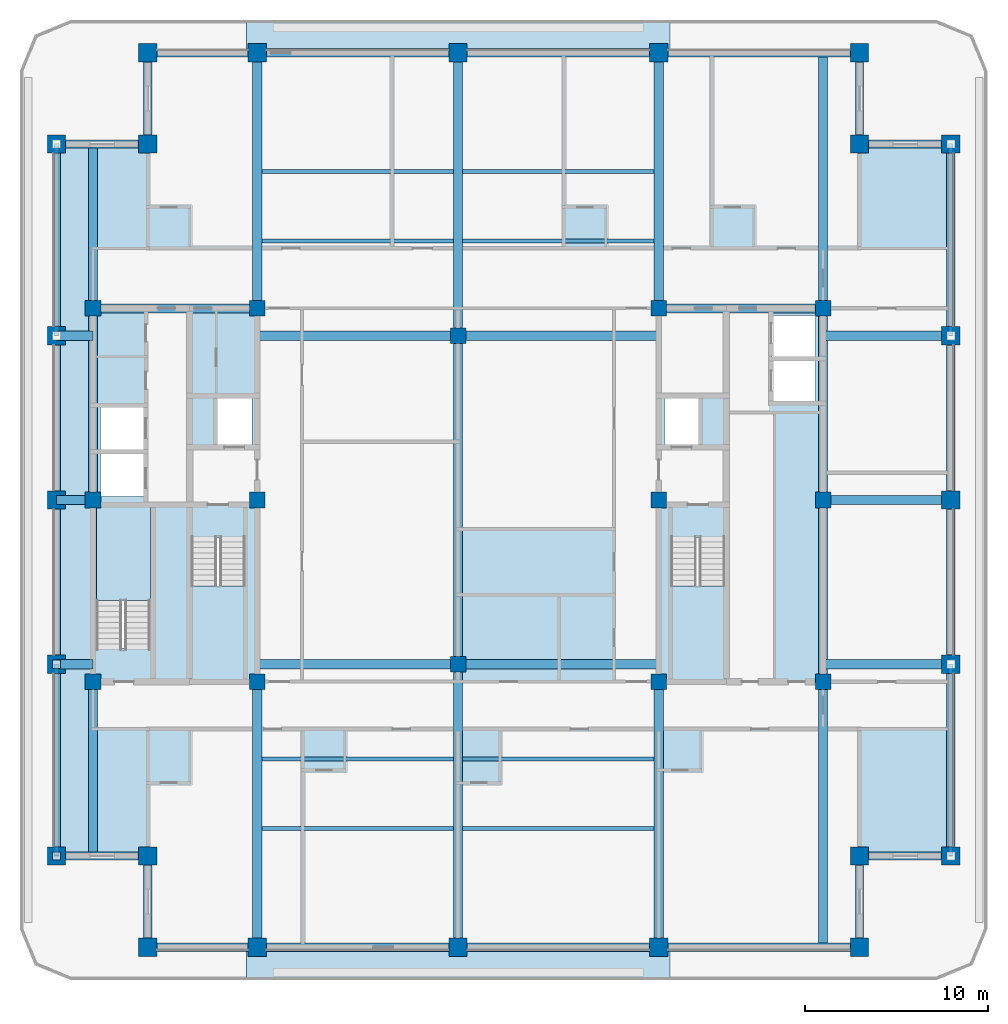
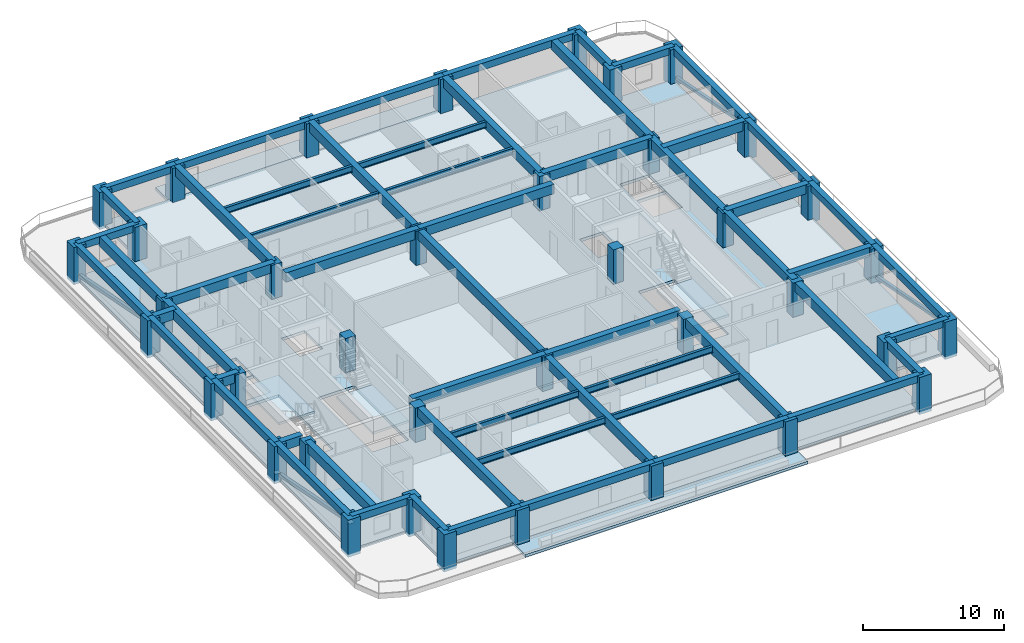
# One storey, part 1 of 13: 58 beams, 38 columns, 6 slabs, 4 members, 2 plates, 3 elements without a shape of their own.
"""IFC4 building model written with IfcOpenShell, lengths in metres."""

from ifc_helpers import new_model, si_unit, direction, frame, origin, origin_2d, place, context, subcontext, project, spatial, polyline, rectangle, hollow_rectangle, i_section, outline, extrude, material, layer, layer_set, material_profile, profile_set, type_object, element, aggregate, save


model = new_model("IFC4")

# Units and contexts
model_context = context("Model", 3, precision=1e-05, world=origin(), true_north=direction((0.0, 1.0)))
body_context = subcontext(model_context, "Body", "Model", "MODEL_VIEW")
ifc_project = project(units=[si_unit("LENGTHUNIT", "METRE"), si_unit("AREAUNIT", "SQUARE_METRE"), si_unit("VOLUMEUNIT", "CUBIC_METRE"), si_unit("PLANEANGLEUNIT", "RADIAN"), si_unit("MASSUNIT", "GRAM", prefix="KILO")], contexts=[model_context])

# Site, building, storey
site_placement = place(None, origin())
site = spatial("IfcSite", under=ifc_project, at=site_placement, CompositionType="ELEMENT")
building_placement = place(site_placement, origin())
building = spatial("IfcBuilding", under=site, at=building_placement, Name="Zulmaris Gate Convention Tower", CompositionType="ELEMENT")
storey_placement = place(building_placement, frame((0.0, 0.0, 183.059814453125)))
storey = spatial("IfcBuildingStorey", under=building, at=storey_placement, Name="L47", CompositionType="ELEMENT", Elevation=183.059814453125)

# Columns
ifc_material_1 = material(Name="Concrete C60/75", Category="concrete")
ifc_material_profile_1 = material_profile(ifc_material_1, rectangle(XDim=1.0, YDim=1.0, at=origin_2d()), Name="RC COL 1000x1000")
ifc_profile_set_1 = profile_set([ifc_material_profile_1], Name="Concrete C60/75")
column_type_1 = type_object("IfcColumnType", Name="COL-RC1000", PredefinedType="COLUMN", material=ifc_profile_set_1)
for number, where, z_axis, x_axis, name in (
    (1, (-17.0, -24.5, -0.25), (0.0, 0.0, 1.0), (1.0, 0.0, 0.0), "L47 Column PT--17.00_-24.50"),
    (2, (-11.0, -24.5, -0.25), (0.0, 0.0, 1.0), (1.0, 0.0, 0.0), "L47 Column PT--11.00_-24.50"),
    (3, (0.0, -24.5, -0.25), (0.0, 0.0, 1.0), (1.0, 0.0, 0.0), "L47 Column PT-+0.00_-24.50"),
    (4, (11.0, -24.5, -0.25), (0.0, 0.0, 1.0), (1.0, 0.0, 0.0), "L47 Column PT-+11.00_-24.50"),
    (5, (22.0, -24.5, -0.25), (0.0, 0.0, 1.0), (1.0, 0.0, 0.0), "L47 Column PT-+22.00_-24.50"),
    (6, (-17.0, 24.5, -0.25), (0.0, 0.0, 1.0), (1.0, 0.0, 0.0), "L47 Column PT--17.00_+24.50"),
    (7, (-11.0, 24.5, -0.25), (0.0, 0.0, 1.0), (1.0, 0.0, 0.0), "L47 Column PT--11.00_+24.50"),
    (8, (0.0, 24.5, -0.25), (0.0, 0.0, 1.0), (1.0, 0.0, 0.0), "L47 Column PT-+0.00_+24.50"),
    (9, (11.0, 24.5, -0.25), (0.0, 0.0, 1.0), (1.0, 0.0, 0.0), "L47 Column PT-+11.00_+24.50"),
    (10, (22.0, 24.5, -0.25), (0.0, 0.0, 1.0), (1.0, 0.0, 0.0), "L47 Column PT-+22.00_+24.50"),
    (11, (-22.0, -19.5, -0.25), (0.0, 0.0, 1.0), (1.0, 0.0, 0.0), "L47 Column PT--22.00_-19.50"),
    (12, (-22.0, -9.0, -0.25), (0.0, 0.0, 1.0), (1.0, 0.0, 0.0), "L47 Column PT--22.00_-9.00"),
    (13, (-22.0, 0.0, -0.25), (0.0, 0.0, 1.0), (1.0, 0.0, 0.0), "L47 Column PT--22.00_+0.00"),
    (14, (-22.0, 9.0, -0.25), (0.0, 0.0, 1.0), (1.0, 0.0, 0.0), "L47 Column PT--22.00_+9.00"),
    (15, (-22.0, 19.5, -0.25), (0.0, 0.0, 1.0), (1.0, 0.0, 0.0), "L47 Column PT--22.00_+19.50"),
    (16, (27.0, -19.5, -0.25), (0.0, 0.0, 1.0), (1.0, 0.0, 0.0), "L47 Column PT-+27.00_-19.50"),
    (17, (27.0, -9.0, -0.25), (0.0, 0.0, 1.0), (1.0, 0.0, 0.0), "L47 Column PT-+27.00_-9.00"),
    (18, (27.0, 0.0, -0.25), (0.0, 0.0, 1.0), (1.0, 0.0, 0.0), "L47 Column PT-+27.00_+0.00"),
    (19, (27.0, 9.0, -0.25), (0.0, 0.0, 1.0), (1.0, 0.0, 0.0), "L47 Column PT-+27.00_+9.00"),
    (20, (27.0, 19.5, -0.25), (0.0, 0.0, 1.0), (1.0, 0.0, 0.0), "L47 Column PT-+27.00_+19.50"),
    (21, (-17.0, -19.5, -0.25), (0.0, 0.0, 1.0), (1.0, 0.0, 0.0), "L47 Column PT--17.00_-19.50"),
    (22, (22.0, -19.5, -0.25), (0.0, 0.0, 1.0), (1.0, 0.0, 0.0), "L47 Column PT-+22.00_-19.50"),
    (23, (22.0, 19.5, -0.25), (0.0, 0.0, 1.0), (1.0, 0.0, 0.0), "L47 Column PT-+22.00_+19.50"),
    (24, (-17.0, 19.5, -0.25), (0.0, 0.0, 1.0), (1.0, 0.0, 0.0), "L47 Column PT--17.00_+19.50"),
):
    element("IfcColumn", number, at=place(storey_placement, frame(where, z_axis=z_axis, x_axis=x_axis)), inside=storey, type_object=column_type_1, Name=name, PredefinedType="COLUMN", context=body_context, shape_type="SweptSolid", body=[
        extrude(rectangle(XDim=1.0, YDim=1.0, at=origin_2d()), origin(), (0.0, 0.0, 1.0), 3.22509765625),
    ])
ifc_material_profile_2 = material_profile(ifc_material_1, rectangle(XDim=0.85009765625, YDim=0.85009765625, at=origin_2d()), Name="RC COL 850x850")
ifc_profile_set_2 = profile_set([ifc_material_profile_2], Name="Concrete C60/75")
column_type_2 = type_object("IfcColumnType", Name="COL-RC850", PredefinedType="COLUMN", material=ifc_profile_set_2)
for number, where, z_axis, x_axis, name in (
    (25, (-20.0, -9.949951171875, -0.25), (0.0, 0.0, 1.0), (1.0, 0.0, 0.0), "L47 Column IN--20.00_-9.95"),
    (26, (-20.0, 10.5, -0.25), (0.0, 0.0, 1.0), (1.0, 0.0, 0.0), "L47 Column IN--20.00_+10.50"),
    (27, (-11.0, -9.949951171875, -0.25), (0.0, 0.0, 1.0), (1.0, 0.0, 0.0), "L47 Column IN--11.00_-9.95"),
    (28, (-11.0, 0.0, -0.25), (0.0, 0.0, 1.0), (1.0, 0.0, 0.0), "L47 Column IN--11.00_+0.00"),
    (29, (-11.0, 10.5, -0.25), (0.0, 0.0, 1.0), (1.0, 0.0, 0.0), "L47 Column IN--11.00_+10.50"),
    (30, (11.0, -9.949951171875, -0.25), (0.0, 0.0, 1.0), (1.0, 0.0, 0.0), "L47 Column IN-+11.00_-9.95"),
    (31, (11.0, 0.0, -0.25), (0.0, 0.0, 1.0), (1.0, 0.0, 0.0), "L47 Column IN-+11.00_+0.00"),
    (32, (11.0, 10.5, -0.25), (0.0, 0.0, 1.0), (1.0, 0.0, 0.0), "L47 Column IN-+11.00_+10.50"),
    (33, (20.0, -9.949951171875, -0.25), (0.0, 0.0, 1.0), (1.0, 0.0, 0.0), "L47 Column IN-+20.00_-9.95"),
    (34, (20.0, 10.5, -0.25), (0.0, 0.0, 1.0), (1.0, 0.0, 0.0), "L47 Column IN-+20.00_+10.50"),
    (35, (0.0, -9.0, -0.25), (0.0, 0.0, 1.0), (1.0, 0.0, 0.0), "L47 Column IN-+0.00_-9.00"),
    (36, (0.0, 9.0, -0.25), (0.0, 0.0, 1.0), (1.0, 0.0, 0.0), "L47 Column IN-+0.00_+9.00"),
    (37, (-20.0, 0.0, -0.25), (0.0, 0.0, 1.0), (1.0, 0.0, 0.0), "L47 Column IN--20.00_+0.00"),
    (38, (20.0, 0.0, -0.25), (0.0, 0.0, 1.0), (1.0, 0.0, 0.0), "L47 Column IN-+20.00_+0.00"),
):
    element("IfcColumn", number, at=place(storey_placement, frame(where, z_axis=z_axis, x_axis=x_axis)), inside=storey, type_object=column_type_2, Name=name, PredefinedType="COLUMN", context=body_context, shape_type="SweptSolid", body=[
        extrude(rectangle(XDim=0.85009765625, YDim=0.85009765625, at=origin_2d()), origin(), (0.0, 0.0, 1.0), 3.22509765625),
    ])

# Beams
ifc_material_2 = material(Name="Concrete C50/60", Category="concrete")
ifc_material_profile_3 = material_profile(ifc_material_2, rectangle(XDim=0.5, YDim=0.800048828125, at=origin_2d()), Name="RC BEAM 500x800")
ifc_profile_set_3 = profile_set([ifc_material_profile_3], Name="Concrete C50/60")
beam_type_1 = type_object("IfcBeamType", Name="BM-RC500x800", PredefinedType="BEAM", material=ifc_profile_set_3)
for number, where, z_axis, x_axis, name in (
    (39, (-11.0, -9.0, 2.5751953125), (1.0, 0.0, 0.0), (0.0, 1.0, 0.0), "L47 Beam BM-L47-G01"),
    (40, (0.0, -9.0, 2.5751953125), (1.0, 0.0, 0.0), (0.0, 1.0, 0.0), "L47 Beam BM-L47-G02"),
    (41, (-11.0, 9.0, 2.5751953125), (1.0, 0.0, 0.0), (0.0, 1.0, 0.0), "L47 Beam BM-L47-G03"),
    (42, (0.0, 9.0, 2.5751953125), (1.0, 0.0, 0.0), (0.0, 1.0, 0.0), "L47 Beam BM-L47-G04"),
):
    element("IfcBeam", number, at=place(storey_placement, frame(where, z_axis=z_axis, x_axis=x_axis)), inside=storey, type_object=beam_type_1, Name=name, PredefinedType="BEAM", context=body_context, shape_type="SweptSolid", body=[
        extrude(rectangle(XDim=0.5, YDim=0.800048828125, at=origin_2d()), origin(), (0.0, 0.0, 1.0), 11.0),
    ])
beam_1_placement = place(storey_placement, frame((0.0, -24.5, 2.5751953125), z_axis=(0.0, 1.0, 0.0), x_axis=(-1.0, 0.0, 0.0)))
element("IfcBeam", 43, at=beam_1_placement, inside=storey, type_object=beam_type_1, Name="L47 Beam BM-L47-G05", PredefinedType="BEAM", context=body_context, shape_type="SweptSolid", body=[
    extrude(rectangle(XDim=0.5, YDim=0.800048828125, at=origin_2d()), origin(), (0.0, 0.0, 1.0), 15.5),
])
beam_2_placement = place(storey_placement, frame((0.0, -9.0, 2.5751953125), z_axis=(0.0, 1.0, 0.0), x_axis=(-1.0, 0.0, 0.0)))
element("IfcBeam", 44, at=beam_2_placement, inside=storey, type_object=beam_type_1, Name="L47 Beam BM-L47-G06", PredefinedType="BEAM", context=body_context, shape_type="SweptSolid", body=[
    extrude(rectangle(XDim=0.5, YDim=0.800048828125, at=origin_2d()), origin(), (0.0, 0.0, 1.0), 18.0),
])
beam_3_placement = place(storey_placement, frame((0.0, 9.0, 2.5751953125), z_axis=(0.0, 1.0, 0.0), x_axis=(-1.0, 0.0, 0.0)))
element("IfcBeam", 45, at=beam_3_placement, inside=storey, type_object=beam_type_1, Name="L47 Beam BM-L47-G07", PredefinedType="BEAM", context=body_context, shape_type="SweptSolid", body=[
    extrude(rectangle(XDim=0.5, YDim=0.800048828125, at=origin_2d()), origin(), (0.0, 0.0, 1.0), 15.5),
])
beam_4_placement = place(storey_placement, frame((-11.0, -24.5, 2.5751953125), z_axis=(0.0, 1.0, 0.0), x_axis=(-1.0, 0.0, 0.0)))
element("IfcBeam", 46, at=beam_4_placement, inside=storey, type_object=beam_type_1, Name="L47 Beam BM-L47-G08", PredefinedType="BEAM", context=body_context, shape_type="SweptSolid", body=[
    extrude(rectangle(XDim=0.5, YDim=0.800048828125, at=origin_2d()), origin(), (0.0, 0.0, 1.0), 14.550048828125),
])
beam_5_placement = place(storey_placement, frame((-11.0, 10.5, 2.5751953125), z_axis=(0.0, 1.0, 0.0), x_axis=(-1.0, 0.0, 0.0)))
element("IfcBeam", 47, at=beam_5_placement, inside=storey, type_object=beam_type_1, Name="L47 Beam BM-L47-G09", PredefinedType="BEAM", context=body_context, shape_type="SweptSolid", body=[
    extrude(rectangle(XDim=0.5, YDim=0.800048828125, at=origin_2d()), origin(), (0.0, 0.0, 1.0), 14.0),
])
beam_6_placement = place(storey_placement, frame((11.0, -24.5, 2.5751953125), z_axis=(0.0, 1.0, 0.0), x_axis=(-1.0, 0.0, 0.0)))
element("IfcBeam", 48, at=beam_6_placement, inside=storey, type_object=beam_type_1, Name="L47 Beam BM-L47-G10", PredefinedType="BEAM", context=body_context, shape_type="SweptSolid", body=[
    extrude(rectangle(XDim=0.5, YDim=0.800048828125, at=origin_2d()), origin(), (0.0, 0.0, 1.0), 14.550048828125),
])
beam_7_placement = place(storey_placement, frame((11.0, 10.5, 2.5751953125), z_axis=(0.0, 1.0, 0.0), x_axis=(-1.0, 0.0, 0.0)))
element("IfcBeam", 49, at=beam_7_placement, inside=storey, type_object=beam_type_1, Name="L47 Beam BM-L47-G11", PredefinedType="BEAM", context=body_context, shape_type="SweptSolid", body=[
    extrude(rectangle(XDim=0.5, YDim=0.800048828125, at=origin_2d()), origin(), (0.0, 0.0, 1.0), 14.0),
])
beam_8_placement = place(storey_placement, frame((-20.0, -19.5, 2.5751953125), z_axis=(0.0, 1.0, 0.0), x_axis=(-1.0, 0.0, 0.0)))
element("IfcBeam", 50, at=beam_8_placement, inside=storey, type_object=beam_type_1, Name="L47 Beam BM-L47-G12", PredefinedType="BEAM", context=body_context, shape_type="SweptSolid", body=[
    extrude(rectangle(XDim=0.5, YDim=0.800048828125, at=origin_2d()), origin(), (0.0, 0.0, 1.0), 9.550048828125),
])
beam_9_placement = place(storey_placement, frame((-20.0, 10.5, 2.5751953125), z_axis=(0.0, 1.0, 0.0), x_axis=(-1.0, 0.0, 0.0)))
element("IfcBeam", 51, at=beam_9_placement, inside=storey, type_object=beam_type_1, Name="L47 Beam BM-L47-G13", PredefinedType="BEAM", context=body_context, shape_type="SweptSolid", body=[
    extrude(rectangle(XDim=0.5, YDim=0.800048828125, at=origin_2d()), origin(), (0.0, 0.0, 1.0), 9.0),
])
beam_10_placement = place(storey_placement, frame((20.0, -24.5, 2.5751953125), z_axis=(0.0, 1.0, 0.0), x_axis=(-1.0, 0.0, 0.0)))
element("IfcBeam", 52, at=beam_10_placement, inside=storey, type_object=beam_type_1, Name="L47 Beam BM-L47-G14", PredefinedType="BEAM", context=body_context, shape_type="SweptSolid", body=[
    extrude(rectangle(XDim=0.5, YDim=0.800048828125, at=origin_2d()), origin(), (0.0, 0.0, 1.0), 14.550048828125),
])
beam_11_placement = place(storey_placement, frame((20.0, 10.5, 2.5751953125), z_axis=(0.0, 1.0, 0.0), x_axis=(-1.0, 0.0, 0.0)))
element("IfcBeam", 53, at=beam_11_placement, inside=storey, type_object=beam_type_1, Name="L47 Beam BM-L47-G15", PredefinedType="BEAM", context=body_context, shape_type="SweptSolid", body=[
    extrude(rectangle(XDim=0.5, YDim=0.800048828125, at=origin_2d()), origin(), (0.0, 0.0, 1.0), 14.0),
])
for number, where, z_axis, x_axis, name in (
    (54, (-22.0, -9.0, 2.5751953125), (1.0, 0.0, 0.0), (0.0, 1.0, 0.0), "L47 Beam BM-L47-G16"),
    (55, (-22.0, 0.0, 2.5751953125), (1.0, 0.0, 0.0), (0.0, 1.0, 0.0), "L47 Beam BM-L47-G17"),
    (56, (-22.0, 9.0, 2.5751953125), (1.0, 0.0, 0.0), (0.0, 1.0, 0.0), "L47 Beam BM-L47-G18"),
):
    element("IfcBeam", number, at=place(storey_placement, frame(where, z_axis=z_axis, x_axis=x_axis)), inside=storey, type_object=beam_type_1, Name=name, PredefinedType="BEAM", context=body_context, shape_type="SweptSolid", body=[
        extrude(rectangle(XDim=0.5, YDim=0.800048828125, at=origin_2d()), origin(), (0.0, 0.0, 1.0), 2.0),
    ])
for number, where, z_axis, x_axis, name in (
    (57, (20.0, -9.0, 2.5751953125), (1.0, 0.0, 0.0), (0.0, 1.0, 0.0), "L47 Beam BM-L47-G19"),
    (58, (20.0, 0.0, 2.5751953125), (1.0, 0.0, 0.0), (0.0, 1.0, 0.0), "L47 Beam BM-L47-G20"),
    (59, (20.0, 9.0, 2.5751953125), (1.0, 0.0, 0.0), (0.0, 1.0, 0.0), "L47 Beam BM-L47-G21"),
):
    element("IfcBeam", number, at=place(storey_placement, frame(where, z_axis=z_axis, x_axis=x_axis)), inside=storey, type_object=beam_type_1, Name=name, PredefinedType="BEAM", context=body_context, shape_type="SweptSolid", body=[
        extrude(rectangle(XDim=0.5, YDim=0.800048828125, at=origin_2d()), origin(), (0.0, 0.0, 1.0), 7.0),
    ])
for number, where, z_axis, x_axis, name in (
    (60, (-20.0, 10.5, 2.5751953125), (1.0, 0.0, 0.0), (0.0, 1.0, 0.0), "L47 Beam BM-L47-G23"),
    (61, (11.0, 10.5, 2.5751953125), (1.0, 0.0, 0.0), (0.0, 1.0, 0.0), "L47 Beam BM-L47-G25"),
):
    element("IfcBeam", number, at=place(storey_placement, frame(where, z_axis=z_axis, x_axis=x_axis)), inside=storey, type_object=beam_type_1, Name=name, PredefinedType="BEAM", context=body_context, shape_type="SweptSolid", body=[
        extrude(rectangle(XDim=0.5, YDim=0.800048828125, at=origin_2d()), origin(), (0.0, 0.0, 1.0), 9.0),
    ])
beam_12_placement = place(storey_placement, frame((-20.0, 0.0, 2.5751953125), z_axis=(0.0, 1.0, 0.0), x_axis=(-1.0, 0.0, 0.0)))
element("IfcBeam", 62, at=beam_12_placement, inside=storey, type_object=beam_type_1, Name="L47 Beam BM-L47-G27", PredefinedType="BEAM", context=body_context, shape_type="SweptSolid", body=[
    extrude(rectangle(XDim=0.5, YDim=0.800048828125, at=origin_2d()), origin(), (0.0, 0.0, 1.0), 10.5),
])
beam_13_placement = place(storey_placement, frame((20.0, -9.949951171875, 2.5751953125), z_axis=(0.0, 1.0, 0.0), x_axis=(-1.0, 0.0, 0.0)))
element("IfcBeam", 63, at=beam_13_placement, inside=storey, type_object=beam_type_1, Name="L47 Beam BM-L47-G28", PredefinedType="BEAM", context=body_context, shape_type="SweptSolid", body=[
    extrude(rectangle(XDim=0.5, YDim=0.800048828125, at=origin_2d()), origin(), (0.0, 0.0, 1.0), 9.949951171875),
])
beam_14_placement = place(storey_placement, frame((20.0, 0.0, 2.5751953125), z_axis=(0.0, 1.0, 0.0), x_axis=(-1.0, 0.0, 0.0)))
element("IfcBeam", 64, at=beam_14_placement, inside=storey, type_object=beam_type_1, Name="L47 Beam BM-L47-G29", PredefinedType="BEAM", context=body_context, shape_type="SweptSolid", body=[
    extrude(rectangle(XDim=0.5, YDim=0.800048828125, at=origin_2d()), origin(), (0.0, 0.0, 1.0), 10.5),
])
ifc_material_3 = material(Name="Precast concrete C50/60", Category="concrete")
ifc_material_profile_4 = material_profile(ifc_material_3, rectangle(XDim=0.449951171875, YDim=0.60009765625, at=origin_2d()), Name="RC SPANDREL 450x600")
ifc_profile_set_4 = profile_set([ifc_material_profile_4], Name="Precast concrete C50/60")
beam_type_2 = type_object("IfcBeamType", Name="BM-SP450x600", PredefinedType="SPANDREL", material=ifc_profile_set_4)
beam_15_placement = place(storey_placement, frame((-17.0, -24.5, 2.67529296875), z_axis=(1.0, 0.0, 0.0), x_axis=(0.0, 1.0, 0.0)))
element("IfcBeam", 65, at=beam_15_placement, inside=storey, type_object=beam_type_2, Name="L47 Spandrel SP-L47-01", PredefinedType="SPANDREL", context=body_context, shape_type="SweptSolid", body=[
    extrude(rectangle(XDim=0.449951171875, YDim=0.60009765625, at=origin_2d()), origin(), (0.0, 0.0, 1.0), 6.0),
])
for number, where, z_axis, x_axis, name in (
    (66, (-11.0, -24.5, 2.67529296875), (1.0, 0.0, 0.0), (0.0, 1.0, 0.0), "L47 Spandrel SP-L47-02"),
    (67, (0.0, -24.5, 2.67529296875), (1.0, 0.0, 0.0), (0.0, 1.0, 0.0), "L47 Spandrel SP-L47-03"),
    (68, (11.0, -24.5, 2.67529296875), (1.0, 0.0, 0.0), (0.0, 1.0, 0.0), "L47 Spandrel SP-L47-04"),
):
    element("IfcBeam", number, at=place(storey_placement, frame(where, z_axis=z_axis, x_axis=x_axis)), inside=storey, type_object=beam_type_2, Name=name, PredefinedType="SPANDREL", context=body_context, shape_type="SweptSolid", body=[
        extrude(rectangle(XDim=0.449951171875, YDim=0.60009765625, at=origin_2d()), origin(), (0.0, 0.0, 1.0), 11.0),
    ])
for number, where, z_axis, x_axis, name in (
    (69, (22.0, -24.5, 2.67529296875), (0.0, 1.0, 0.0), (-1.0, 0.0, 0.0), "L47 Spandrel SP-L47-05"),
    (70, (22.0, -19.5, 2.67529296875), (1.0, 0.0, 0.0), (0.0, 1.0, 0.0), "L47 Spandrel SP-L47-06"),
):
    element("IfcBeam", number, at=place(storey_placement, frame(where, z_axis=z_axis, x_axis=x_axis)), inside=storey, type_object=beam_type_2, Name=name, PredefinedType="SPANDREL", context=body_context, shape_type="SweptSolid", body=[
        extrude(rectangle(XDim=0.449951171875, YDim=0.60009765625, at=origin_2d()), origin(), (0.0, 0.0, 1.0), 5.0),
    ])
beam_16_placement = place(storey_placement, frame((27.0, -19.5, 2.67529296875), z_axis=(0.0, 1.0, 0.0), x_axis=(-1.0, 0.0, 0.0)))
element("IfcBeam", 71, at=beam_16_placement, inside=storey, type_object=beam_type_2, Name="L47 Spandrel SP-L47-07", PredefinedType="SPANDREL", context=body_context, shape_type="SweptSolid", body=[
    extrude(rectangle(XDim=0.449951171875, YDim=0.60009765625, at=origin_2d()), origin(), (0.0, 0.0, 1.0), 10.5),
])
for number, where, z_axis, x_axis, name in (
    (72, (27.0, -9.0, 2.67529296875), (0.0, 1.0, 0.0), (-1.0, 0.0, 0.0), "L47 Spandrel SP-L47-08"),
    (73, (27.0, 0.0, 2.67529296875), (0.0, 1.0, 0.0), (-1.0, 0.0, 0.0), "L47 Spandrel SP-L47-09"),
):
    element("IfcBeam", number, at=place(storey_placement, frame(where, z_axis=z_axis, x_axis=x_axis)), inside=storey, type_object=beam_type_2, Name=name, PredefinedType="SPANDREL", context=body_context, shape_type="SweptSolid", body=[
        extrude(rectangle(XDim=0.449951171875, YDim=0.60009765625, at=origin_2d()), origin(), (0.0, 0.0, 1.0), 9.0),
    ])
beam_17_placement = place(storey_placement, frame((27.0, 9.0, 2.67529296875), z_axis=(0.0, 1.0, 0.0), x_axis=(-1.0, 0.0, 0.0)))
element("IfcBeam", 74, at=beam_17_placement, inside=storey, type_object=beam_type_2, Name="L47 Spandrel SP-L47-10", PredefinedType="SPANDREL", context=body_context, shape_type="SweptSolid", body=[
    extrude(rectangle(XDim=0.449951171875, YDim=0.60009765625, at=origin_2d()), origin(), (0.0, 0.0, 1.0), 10.5),
])
for number, where, z_axis, x_axis, name in (
    (75, (27.0, 19.5, 2.67529296875), (-1.0, 0.0, 0.0), (0.0, -1.0, 0.0), "L47 Spandrel SP-L47-11"),
    (76, (22.0, 19.5, 2.67529296875), (0.0, 1.0, 0.0), (-1.0, 0.0, 0.0), "L47 Spandrel SP-L47-12"),
):
    element("IfcBeam", number, at=place(storey_placement, frame(where, z_axis=z_axis, x_axis=x_axis)), inside=storey, type_object=beam_type_2, Name=name, PredefinedType="SPANDREL", context=body_context, shape_type="SweptSolid", body=[
        extrude(rectangle(XDim=0.449951171875, YDim=0.60009765625, at=origin_2d()), origin(), (0.0, 0.0, 1.0), 5.0),
    ])
for number, where, z_axis, x_axis, name in (
    (77, (22.0, 24.5, 2.67529296875), (-1.0, 0.0, 0.0), (0.0, -1.0, 0.0), "L47 Spandrel SP-L47-13"),
    (78, (11.0, 24.5, 2.67529296875), (-1.0, 0.0, 0.0), (0.0, -1.0, 0.0), "L47 Spandrel SP-L47-14"),
    (79, (0.0, 24.5, 2.67529296875), (-1.0, 0.0, 0.0), (0.0, -1.0, 0.0), "L47 Spandrel SP-L47-15"),
):
    element("IfcBeam", number, at=place(storey_placement, frame(where, z_axis=z_axis, x_axis=x_axis)), inside=storey, type_object=beam_type_2, Name=name, PredefinedType="SPANDREL", context=body_context, shape_type="SweptSolid", body=[
        extrude(rectangle(XDim=0.449951171875, YDim=0.60009765625, at=origin_2d()), origin(), (0.0, 0.0, 1.0), 11.0),
    ])
beam_18_placement = place(storey_placement, frame((-11.0, 24.5, 2.67529296875), z_axis=(-1.0, 0.0, 0.0), x_axis=(0.0, -1.0, 0.0)))
element("IfcBeam", 80, at=beam_18_placement, inside=storey, type_object=beam_type_2, Name="L47 Spandrel SP-L47-16", PredefinedType="SPANDREL", context=body_context, shape_type="SweptSolid", body=[
    extrude(rectangle(XDim=0.449951171875, YDim=0.60009765625, at=origin_2d()), origin(), (0.0, 0.0, 1.0), 6.0),
])
for number, where, z_axis, x_axis, name in (
    (81, (-17.0, 24.5, 2.67529296875), (0.0, -1.0, 0.0), (1.0, 0.0, 0.0), "L47 Spandrel SP-L47-17"),
    (82, (-17.0, 19.5, 2.67529296875), (-1.0, 0.0, 0.0), (0.0, -1.0, 0.0), "L47 Spandrel SP-L47-18"),
):
    element("IfcBeam", number, at=place(storey_placement, frame(where, z_axis=z_axis, x_axis=x_axis)), inside=storey, type_object=beam_type_2, Name=name, PredefinedType="SPANDREL", context=body_context, shape_type="SweptSolid", body=[
        extrude(rectangle(XDim=0.449951171875, YDim=0.60009765625, at=origin_2d()), origin(), (0.0, 0.0, 1.0), 5.0),
    ])
beam_19_placement = place(storey_placement, frame((-22.0, 19.5, 2.67529296875), z_axis=(0.0, -1.0, 0.0), x_axis=(1.0, 0.0, 0.0)))
element("IfcBeam", 83, at=beam_19_placement, inside=storey, type_object=beam_type_2, Name="L47 Spandrel SP-L47-19", PredefinedType="SPANDREL", context=body_context, shape_type="SweptSolid", body=[
    extrude(rectangle(XDim=0.449951171875, YDim=0.60009765625, at=origin_2d()), origin(), (0.0, 0.0, 1.0), 10.5),
])
for number, where, z_axis, x_axis, name in (
    (84, (-22.0, 9.0, 2.67529296875), (0.0, -1.0, 0.0), (1.0, 0.0, 0.0), "L47 Spandrel SP-L47-20"),
    (85, (-22.0, 0.0, 2.67529296875), (0.0, -1.0, 0.0), (1.0, 0.0, 0.0), "L47 Spandrel SP-L47-21"),
):
    element("IfcBeam", number, at=place(storey_placement, frame(where, z_axis=z_axis, x_axis=x_axis)), inside=storey, type_object=beam_type_2, Name=name, PredefinedType="SPANDREL", context=body_context, shape_type="SweptSolid", body=[
        extrude(rectangle(XDim=0.449951171875, YDim=0.60009765625, at=origin_2d()), origin(), (0.0, 0.0, 1.0), 9.0),
    ])
beam_20_placement = place(storey_placement, frame((-22.0, -9.0, 2.67529296875), z_axis=(0.0, -1.0, 0.0), x_axis=(1.0, 0.0, 0.0)))
element("IfcBeam", 86, at=beam_20_placement, inside=storey, type_object=beam_type_2, Name="L47 Spandrel SP-L47-22", PredefinedType="SPANDREL", context=body_context, shape_type="SweptSolid", body=[
    extrude(rectangle(XDim=0.449951171875, YDim=0.60009765625, at=origin_2d()), origin(), (0.0, 0.0, 1.0), 10.5),
])
for number, where, z_axis, x_axis, name in (
    (87, (-22.0, -19.5, 2.67529296875), (1.0, 0.0, 0.0), (0.0, 1.0, 0.0), "L47 Spandrel SP-L47-23"),
    (88, (-17.0, -19.5, 2.67529296875), (0.0, -1.0, 0.0), (1.0, 0.0, 0.0), "L47 Spandrel SP-L47-24"),
):
    element("IfcBeam", number, at=place(storey_placement, frame(where, z_axis=z_axis, x_axis=x_axis)), inside=storey, type_object=beam_type_2, Name=name, PredefinedType="SPANDREL", context=body_context, shape_type="SweptSolid", body=[
        extrude(rectangle(XDim=0.449951171875, YDim=0.60009765625, at=origin_2d()), origin(), (0.0, 0.0, 1.0), 5.0),
    ])

# Members
ifc_material_4 = material(Name="Steel S355", Category="steel")
ifc_material_profile_5 = material_profile(ifc_material_4, hollow_rectangle(XDim=0.25, YDim=0.25, WallThickness=0.012451171875, at=origin_2d()), Name="SHS 250x250x12.5")
ifc_profile_set_5 = profile_set([ifc_material_profile_5], Name="Steel S355")
member_type = type_object("IfcMemberType", Name="BR-SHS250", PredefinedType="BRACE", material=ifc_profile_set_5)
for number, where, z_axis, x_axis, name in (
    (89, (-22.0, -9.0, 0.300048828125), (0.0, -0.981378069793, 0.192086137266), (1.0, 0.0, 0.0), "L47 Perimeter Tube Diagonal SW-W"),
    (90, (-22.0, 19.5, 0.300048828125), (0.0, -0.981378069793, 0.192086137266), (1.0, 0.0, 0.0), "L47 Perimeter Tube Diagonal NW-W"),
    (91, (27.0, -9.0, 0.300048828125), (0.0, -0.981378069793, 0.192086137266), (1.0, 0.0, 0.0), "L47 Perimeter Tube Diagonal SE-E"),
    (92, (27.0, 19.5, 0.300048828125), (0.0, -0.981378069793, 0.192086137266), (1.0, 0.0, 0.0), "L47 Perimeter Tube Diagonal NE-E"),
):
    element("IfcMember", number, at=place(storey_placement, frame(where, z_axis=z_axis, x_axis=x_axis)), inside=storey, type_object=member_type, Name=name, PredefinedType="BRACE", context=body_context, shape_type="SweptSolid", body=[
        extrude(hollow_rectangle(XDim=0.25, YDim=0.25, WallThickness=0.012451171875, at=origin_2d()), origin(), (0.0, 0.0, 1.0), 10.69921875),
    ])

# Beams
ifc_material_profile_6 = material_profile(ifc_material_4, i_section(OverallWidth=0.2099609375, OverallDepth=0.550048828125, WebThickness=0.010986328125, FlangeThickness=0.01708984375, FilletRadius=0.02392578125, at=origin_2d()), Name="IPE 550")
ifc_profile_set_6 = profile_set([ifc_material_profile_6], Name="Steel S355")
beam_type_3 = type_object("IfcBeamType", Name="JT-IPE550", PredefinedType="JOIST", material=ifc_profile_set_6)
for number, where, z_axis, x_axis, name in (
    (93, (-10.75, -18.0, 2.6982421875), (1.0, 0.0, 0.0), (0.0, 1.0, 0.0), "L47 Joist JT-L47-CW--18.0"),
    (94, (0.25, -18.0, 2.6982421875), (1.0, 0.0, 0.0), (0.0, 1.0, 0.0), "L47 Joist JT-L47-CE--18.0"),
    (95, (-10.75, -14.199951171875, 2.6982421875), (1.0, 0.0, 0.0), (0.0, 1.0, 0.0), "L47 Joist JT-L47-CW--14.2"),
    (96, (0.25, -14.199951171875, 2.6982421875), (1.0, 0.0, 0.0), (0.0, 1.0, 0.0), "L47 Joist JT-L47-CE--14.2"),
    (97, (-10.75, 14.199951171875, 2.6982421875), (1.0, 0.0, 0.0), (0.0, 1.0, 0.0), "L47 Joist JT-L47-CW-+14.2"),
    (98, (0.25, 14.199951171875, 2.6982421875), (1.0, 0.0, 0.0), (0.0, 1.0, 0.0), "L47 Joist JT-L47-CE-+14.2"),
    (99, (-10.75, 18.0, 2.6982421875), (1.0, 0.0, 0.0), (0.0, 1.0, 0.0), "L47 Joist JT-L47-CW-+18.0"),
    (100, (0.25, 18.0, 2.6982421875), (1.0, 0.0, 0.0), (0.0, 1.0, 0.0), "L47 Joist JT-L47-CE-+18.0"),
):
    element("IfcBeam", number, at=place(storey_placement, frame(where, z_axis=z_axis, x_axis=x_axis)), inside=storey, type_object=beam_type_3, Name=name, PredefinedType="JOIST", context=body_context, shape_type="SweptSolid", body=[
        extrude(i_section(OverallWidth=0.2099609375, OverallDepth=0.550048828125, WebThickness=0.010986328125, FlangeThickness=0.01708984375, FilletRadius=0.02392578125, at=origin_2d()), origin(), (0.0, 0.0, 1.0), 10.5),
    ])

# Plates
ifc_material_5 = material(Name="Steel S460", Category="steel")
ifc_layer_1 = layer(ifc_material_5, 0.02490234375, Name="Steel S460")
ifc_layer_set_1 = layer_set([ifc_layer_1], Name="Steel S460")
plate_type = type_object("IfcPlateType", Name="NP-CAP-440", PredefinedType="USERDEFINED", material=ifc_layer_set_1)
for number, where, z_axis, x_axis, name in (
    (101, (-22.0, -9.0, 0.28759765625), (0.0, 0.0, 1.0), (1.0, 0.0, 0.0), "L47 Steel Node Plate PBR-L47-SW-W-CAP"),
    (102, (-22.0, -19.5, 2.3427734375), (0.0, 0.0, 1.0), (1.0, 0.0, 0.0), "L47 Steel Node Plate PBR-L47-SW-W-CAPB"),
):
    element("IfcPlate", number, at=place(storey_placement, frame(where, z_axis=z_axis, x_axis=x_axis)), inside=storey, type_object=plate_type, Name=name, ObjectType="FLANGE PLATE", PredefinedType="USERDEFINED", context=body_context, shape_type="SweptSolid", body=[
        extrude(rectangle(XDim=0.43994140625, YDim=0.43994140625, at=origin_2d()), origin(), (0.0, 0.0, 1.0), 0.02490234375),
    ])

# Slabs
ifc_layer_2 = layer(ifc_material_3, 0.239990234375, Name="Precast concrete C50/60")
ifc_layer_set_2 = layer_set([ifc_layer_2], Name="Precast concrete C50/60")
slab_type_1 = type_object("IfcSlabType", Name="SL-BAL-240", PredefinedType="FLOOR", material=ifc_layer_set_2)
slab_1_placement = place(storey_placement, frame((0.0, 0.0, -0.25)))
element("IfcSlab", 103, at=slab_1_placement, inside=storey, type_object=slab_type_1, Name="L47 South Tree-Balcony Planter Slab", PredefinedType="FLOOR", context=body_context, shape_type="SweptSolid", body=[
    extrude(outline(polyline([(-11.597900390625, -26.300048828125), (-11.597900390625, -24.5), (11.597900390625, -24.5), (11.597900390625, -26.300048828125), (-11.597900390625, -26.300048828125)])), origin(), (0.0, 0.0, 1.0), 0.239990234375),
])
slab_2_placement = place(storey_placement, frame((0.0, 0.0, -0.25)))
element("IfcSlab", 104, at=slab_2_placement, inside=storey, type_object=slab_type_1, Name="L47 North Tree-Balcony Planter Slab", PredefinedType="FLOOR", context=body_context, shape_type="SweptSolid", body=[
    extrude(outline(polyline([(11.597900390625, 26.300048828125), (11.597900390625, 24.5), (-11.597900390625, 24.5), (-11.597900390625, 26.300048828125), (11.597900390625, 26.300048828125)])), origin(), (0.0, 0.0, 1.0), 0.239990234375),
])
ifc_layer_3 = layer(ifc_material_2, 0.25, Name="Concrete C50/60")
ifc_layer_set_3 = layer_set([ifc_layer_3], Name="Concrete C50/60")
slab_type_2 = type_object("IfcSlabType", Name="SL-FLR-250", PredefinedType="FLOOR", material=ifc_layer_set_3)
slab_3_placement = place(storey_placement, frame((0.0, 0.0, -0.25)))
element("IfcSlab", 105, at=slab_3_placement, inside=storey, type_object=slab_type_2, Name="L47 Shifted Notched-Square Structural Floor Slab", PredefinedType="FLOOR", context=body_context, shape_type="SweptSolid", body=[
    extrude(outline(polyline([(-17.0, -24.5), (22.0, -24.5), (22.0, -19.5), (27.0, -19.5), (27.0, 19.5), (22.0, 19.5), (22.0, 24.5), (-17.0, 24.5), (-17.0, 19.5), (-22.0, 19.5), (-22.0, -19.5), (-17.0, -19.5), (-17.0, -24.5)]), holes=[polyline([(-14.6201171875, -2.080078125), (-14.6201171875, -9.85009765625), (-11.659912109375, -9.85009765625), (-11.659912109375, -2.080078125), (-14.6201171875, -2.080078125)]), polyline([(11.659912109375, -2.080078125), (11.659912109375, -9.85009765625), (14.6201171875, -9.85009765625), (14.6201171875, -2.080078125), (11.659912109375, -2.080078125)]), polyline([(-16.860107421875, -8.1201171875), (-16.860107421875, -0.35009765625), (-19.820068359375, -0.35009765625), (-19.820068359375, -8.1201171875), (-16.860107421875, -8.1201171875)]), polyline([(-13.199951171875, 3.0), (-11.300048828125, 3.0), (-11.300048828125, 5.60009765625), (-13.199951171875, 5.60009765625), (-13.199951171875, 3.0)]), polyline([(11.300048828125, 3.0), (13.199951171875, 3.0), (13.199951171875, 5.60009765625), (11.300048828125, 5.60009765625), (11.300048828125, 3.0)]), polyline([(17.199951171875, 5.39990234375), (19.60009765625, 5.39990234375), (19.60009765625, 7.699951171875), (17.199951171875, 7.699951171875), (17.199951171875, 5.39990234375)]), polyline([(17.199951171875, 7.800048828125), (19.60009765625, 7.800048828125), (19.60009765625, 10.10009765625), (17.199951171875, 10.10009765625), (17.199951171875, 7.800048828125)]), polyline([(-19.60009765625, 0.199951171875), (-17.199951171875, 0.199951171875), (-17.199951171875, 2.60009765625), (-19.60009765625, 2.60009765625), (-19.60009765625, 0.199951171875)]), polyline([(-19.60009765625, 2.699951171875), (-17.199951171875, 2.699951171875), (-17.199951171875, 5.10009765625), (-19.60009765625, 5.10009765625), (-19.60009765625, 2.699951171875)])]), origin(), (0.0, 0.0, 1.0), 0.25),
])

# Stair, slab
ifc_material_6 = material(Name="Concrete C45/55", Category="concrete")
stair_type = type_object("IfcStairType", Name="ST-CORE-DOGLEG", PredefinedType="HALF_TURN_STAIR", material=ifc_material_6)
stair_1_placement = place(storey_placement, origin())
stair_1 = element("IfcStair", 106, at=stair_1_placement, inside=storey, type_object=stair_type, Name="L47 Core Exit Stair ST-1", PredefinedType="HALF_TURN_STAIR")
ifc_layer_4 = layer(ifc_material_6, 0.199951171875, Name="Concrete C45/55")
ifc_layer_set_4 = layer_set([ifc_layer_4], Name="Concrete C45/55")
slab_type_3 = type_object("IfcSlabType", Name="SL-LND-200", PredefinedType="LANDING", material=ifc_layer_set_4)
slab_4_placement = place(storey_placement, frame((0.0, 0.0, 1.5)))
slab_4 = element("IfcSlab", 107, at=slab_4_placement, type_object=slab_type_3, Name="ST-1 landing 1", PredefinedType="LANDING", context=body_context, shape_type="SweptSolid", body=[
    extrude(outline(polyline([(-14.6201171875, -4.699951171875), (-14.6201171875, -9.85009765625), (-11.659912109375, -9.85009765625), (-11.659912109375, -4.699951171875), (-14.6201171875, -4.699951171875)])), origin(), (0.0, 0.0, 1.0), 0.2001953125),
])
aggregate(stair_1, [slab_4])

stair_2_placement = place(storey_placement, origin())
stair_2 = element("IfcStair", 108, at=stair_2_placement, inside=storey, type_object=stair_type, Name="L47 Core Exit Stair ST-2", PredefinedType="HALF_TURN_STAIR")
slab_5_placement = place(storey_placement, frame((0.0, 0.0, 1.5)))
slab_5 = element("IfcSlab", 109, at=slab_5_placement, type_object=slab_type_3, Name="ST-2 landing 1", PredefinedType="LANDING", context=body_context, shape_type="SweptSolid", body=[
    extrude(outline(polyline([(11.659912109375, -4.699951171875), (11.659912109375, -9.85009765625), (14.6201171875, -9.85009765625), (14.6201171875, -4.699951171875), (11.659912109375, -4.699951171875)])), origin(), (0.0, 0.0, 1.0), 0.2001953125),
])
aggregate(stair_2, [slab_5])

stair_3_placement = place(storey_placement, origin())
stair_3 = element("IfcStair", 110, at=stair_3_placement, inside=storey, type_object=stair_type, Name="L47 Core Exit Stair ST-3", PredefinedType="HALF_TURN_STAIR")
slab_6_placement = place(storey_placement, frame((0.0, 0.0, 1.5)))
slab_6 = element("IfcSlab", 111, at=slab_6_placement, type_object=slab_type_3, Name="ST-3 landing 1", PredefinedType="LANDING", context=body_context, shape_type="SweptSolid", body=[
    extrude(outline(polyline([(-16.860107421875, -5.5), (-16.860107421875, -0.35009765625), (-19.820068359375, -0.35009765625), (-19.820068359375, -5.5), (-16.860107421875, -5.5)])), origin(), (0.0, 0.0, 1.0), 0.2001953125),
])
aggregate(stair_3, [slab_6])

save(model, "model.ifc")
